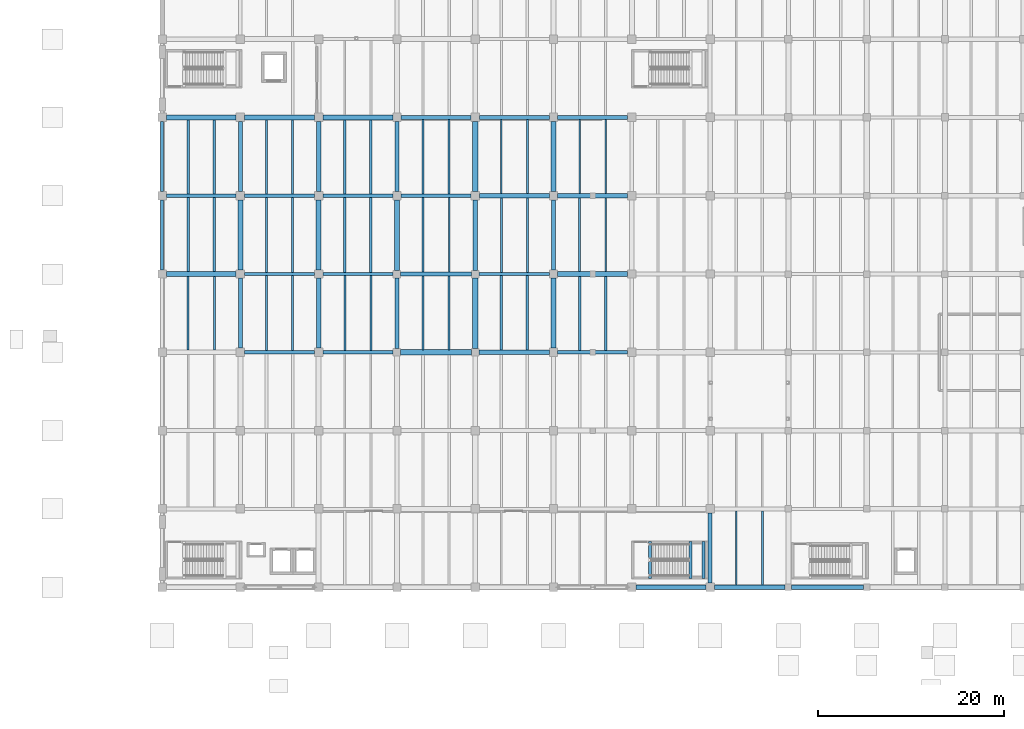
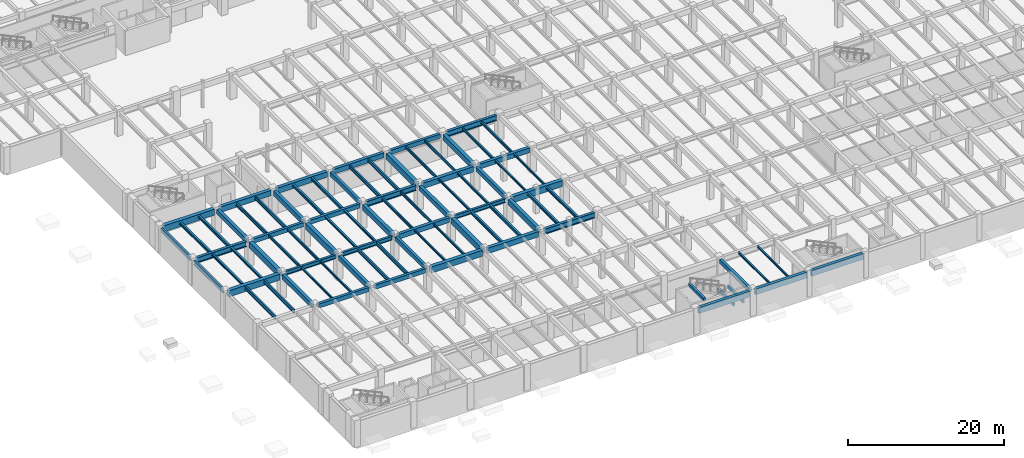
# One storey, part 15 of 63: 85 beams.
"""IFC4 building model written with IfcOpenShell, lengths in metres."""

from ifc_helpers import new_model, si_unit, direction, frame, origin, origin_2d, place, context, subcontext, project, spatial, rectangle, i_section, extrude, material, material_profile, profile_set, type_object, element, save


model = new_model("IFC4")

# Units and contexts
model_context = context("Model", 3, precision=1e-05, world=origin(), true_north=direction((0.0, 1.0)))
body_context = subcontext(model_context, "Body", "Model", "MODEL_VIEW")
ifc_project = project(units=[si_unit("LENGTHUNIT", "METRE"), si_unit("AREAUNIT", "SQUARE_METRE"), si_unit("VOLUMEUNIT", "CUBIC_METRE"), si_unit("PLANEANGLEUNIT", "RADIAN"), si_unit("MASSUNIT", "GRAM", prefix="KILO")], contexts=[model_context])

# Site, building, storey
site_placement = place(None, origin())
site = spatial("IfcSite", under=ifc_project, at=site_placement, CompositionType="ELEMENT")
building_placement = place(site_placement, origin())
building = spatial("IfcBuilding", under=site, at=building_placement, Name="Cumbredor Promenade Congress Hotel", CompositionType="ELEMENT")
storey_placement = place(building_placement, frame((0.0, 0.0, -4.199951171875)))
storey = spatial("IfcBuildingStorey", under=building, at=storey_placement, Name="B01", CompositionType="ELEMENT", Elevation=-4.199951171875)

# Beams
ifc_material_1 = material(Name="Concrete C40/50", Category="concrete")
ifc_material_profile_1 = material_profile(ifc_material_1, rectangle(XDim=0.39990234375, YDim=0.64990234375, at=origin_2d()), Name="RC BEAM 400x650")
ifc_profile_set_1 = profile_set([ifc_material_profile_1], Name="Concrete C40/50")
beam_type_1 = type_object("IfcBeamType", Name="BM-RC-400x650", PredefinedType="BEAM", material=ifc_profile_set_1)
for number, where, z_axis, x_axis, name in (
    (1, (17.25, 33.60009765625, 3.52490234375), (1.0, 0.0, 0.0), (0.0, 1.0, 0.0), "L00 X-Grid Beam 039"),
    (2, (17.25, 50.39990234375, 3.52490234375), (1.0, 0.0, 0.0), (0.0, 1.0, 0.0), "L00 X-Grid Beam 043"),
):
    element("IfcBeam", number, at=place(storey_placement, frame(where, z_axis=z_axis, x_axis=x_axis)), inside=storey, type_object=beam_type_1, Name=name, PredefinedType="BEAM", context=body_context, shape_type="SweptSolid", body=[
        extrude(rectangle(XDim=0.39990234375, YDim=0.64990234375, at=origin_2d()), origin(), (0.0, 0.0, 1.0), 7.5),
    ])
beam_1_placement = place(storey_placement, frame((25.64990234375, 33.60009765625, 3.52490234375), z_axis=(1.0, 0.0, 0.0), x_axis=(0.0, 1.0, 0.0)))
element("IfcBeam", 3, at=beam_1_placement, inside=storey, type_object=beam_type_1, Name="L00 X-Grid Beam 063", PredefinedType="BEAM", context=body_context, shape_type="SweptSolid", body=[
    extrude(rectangle(XDim=0.39990234375, YDim=0.64990234375, at=origin_2d()), origin(), (0.0, 0.0, 1.0), 7.550048828125),
])
beam_2_placement = place(storey_placement, frame((25.64990234375, 50.39990234375, 3.52490234375), z_axis=(1.0, 0.0, 0.0), x_axis=(0.0, 1.0, 0.0)))
element("IfcBeam", 4, at=beam_2_placement, inside=storey, type_object=beam_type_1, Name="L00 X-Grid Beam 067", PredefinedType="BEAM", context=body_context, shape_type="SweptSolid", body=[
    extrude(rectangle(XDim=0.39990234375, YDim=0.64990234375, at=origin_2d()), origin(), (0.0, 0.0, 1.0), 7.5),
])
beam_3_placement = place(storey_placement, frame((33.60009765625, 34.0, 3.52490234375), z_axis=(0.0, 1.0, 0.0), x_axis=(-1.0, 0.0, 0.0)))
element("IfcBeam", 5, at=beam_3_placement, inside=storey, type_object=beam_type_1, Name="L00 Y-Grid Beam 083", PredefinedType="BEAM", context=body_context, shape_type="SweptSolid", body=[
    extrude(rectangle(XDim=0.39990234375, YDim=0.64990234375, at=origin_2d()), origin(), (0.0, 0.0, 1.0), 7.60009765625),
])
for number, where, z_axis, x_axis, name in (
    (6, (33.60009765625, 50.85009765625, 3.52490234375), (0.0, 1.0, 0.0), (-1.0, 0.0, 0.0), "L00 Y-Grid Beam 087"),
    (7, (42.449951171875, 58.800048828125, 3.52490234375), (1.0, 0.0, 0.0), (0.0, 1.0, 0.0), "L00 X-Grid Beam 111"),
    (8, (50.39990234375, 42.449951171875, 3.52490234375), (0.0, 1.0, 0.0), (-1.0, 0.0, 0.0), "L00 Y-Grid Beam 131"),
    (9, (67.199951171875, 8.85009765625, 3.52490234375), (0.0, 1.0, 0.0), (-1.0, 0.0, 0.0), "L00 Y-Grid Beam 175"),
):
    element("IfcBeam", number, at=place(storey_placement, frame(where, z_axis=z_axis, x_axis=x_axis)), inside=storey, type_object=beam_type_1, Name=name, PredefinedType="BEAM", context=body_context, shape_type="SweptSolid", body=[
        extrude(rectangle(XDim=0.39990234375, YDim=0.64990234375, at=origin_2d()), origin(), (0.0, 0.0, 1.0), 7.5),
    ])
ifc_material_profile_2 = material_profile(ifc_material_1, rectangle(XDim=0.449951171875, YDim=0.75, at=origin_2d()), Name="RC BEAM 450x750")
ifc_profile_set_2 = profile_set([ifc_material_profile_2], Name="Concrete C40/50")
beam_type_2 = type_object("IfcBeamType", Name="BM-RC-450x750", PredefinedType="BEAM", material=ifc_profile_set_2)
for number, where, z_axis, x_axis, name in (
    (10, (16.800048828125, 34.050048828125, 3.474853515625), (0.0, 1.0, 0.0), (-1.0, 0.0, 0.0), "L00 Y-Grid Beam 040"),
    (11, (16.800048828125, 50.85009765625, 3.474853515625), (0.0, 1.0, 0.0), (-1.0, 0.0, 0.0), "L00 Y-Grid Beam 044"),
    (12, (25.199951171875, 34.050048828125, 3.474853515625), (0.0, 1.0, 0.0), (-1.0, 0.0, 0.0), "L00 Y-Grid Beam 064"),
    (13, (25.199951171875, 50.85009765625, 3.474853515625), (0.0, 1.0, 0.0), (-1.0, 0.0, 0.0), "L00 Y-Grid Beam 068"),
):
    element("IfcBeam", number, at=place(storey_placement, frame(where, z_axis=z_axis, x_axis=x_axis)), inside=storey, type_object=beam_type_2, Name=name, PredefinedType="BEAM", context=body_context, shape_type="SweptSolid", body=[
        extrude(rectangle(XDim=0.449951171875, YDim=0.75, at=origin_2d()), origin(), (0.0, 0.0, 1.0), 7.5),
    ])
beam_4_placement = place(storey_placement, frame((34.0, 42.0, 3.474853515625), z_axis=(1.0, 0.0, 0.0), x_axis=(0.0, 1.0, 0.0)))
element("IfcBeam", 14, at=beam_4_placement, inside=storey, type_object=beam_type_2, Name="L00 X-Grid Beam 084", PredefinedType="BEAM", context=body_context, shape_type="SweptSolid", body=[
    extrude(rectangle(XDim=0.449951171875, YDim=0.75, at=origin_2d()), origin(), (0.0, 0.0, 1.0), 7.60009765625),
])
beam_5_placement = place(storey_placement, frame((34.050048828125, 58.800048828125, 3.474853515625), z_axis=(1.0, 0.0, 0.0), x_axis=(0.0, 1.0, 0.0)))
element("IfcBeam", 15, at=beam_5_placement, inside=storey, type_object=beam_type_2, Name="L00 X-Grid Beam 088", PredefinedType="BEAM", context=body_context, shape_type="SweptSolid", body=[
    extrude(rectangle(XDim=0.449951171875, YDim=0.75, at=origin_2d()), origin(), (0.0, 0.0, 1.0), 7.5),
])
beam_6_placement = place(storey_placement, frame((42.0, 42.39990234375, 3.474853515625), z_axis=(0.0, 1.0, 0.0), x_axis=(-1.0, 0.0, 0.0)))
element("IfcBeam", 16, at=beam_6_placement, inside=storey, type_object=beam_type_2, Name="L00 Y-Grid Beam 108", PredefinedType="BEAM", context=body_context, shape_type="SweptSolid", body=[
    extrude(rectangle(XDim=0.449951171875, YDim=0.75, at=origin_2d()), origin(), (0.0, 0.0, 1.0), 7.550048828125),
])
beam_7_placement = place(storey_placement, frame((50.85009765625, 50.39990234375, 3.474853515625), z_axis=(1.0, 0.0, 0.0), x_axis=(0.0, 1.0, 0.0)))
element("IfcBeam", 17, at=beam_7_placement, inside=storey, type_object=beam_type_2, Name="L00 X-Grid Beam 132", PredefinedType="BEAM", context=body_context, shape_type="SweptSolid", body=[
    extrude(rectangle(XDim=0.449951171875, YDim=0.75, at=origin_2d()), origin(), (0.0, 0.0, 1.0), 7.5),
])
ifc_material_profile_3 = material_profile(ifc_material_1, rectangle(XDim=0.5, YDim=0.85009765625, at=origin_2d()), Name="RC BEAM 500x850")
ifc_profile_set_3 = profile_set([ifc_material_profile_3], Name="Concrete C40/50")
beam_type_3 = type_object("IfcBeamType", Name="BM-RC-500x850", PredefinedType="BEAM", material=ifc_profile_set_3)
for number, where, z_axis, x_axis, name in (
    (18, (17.25, 58.800048828125, 3.425048828125), (1.0, 0.0, 0.0), (0.0, 1.0, 0.0), "L00 X-Grid Beam 045"),
    (19, (25.64990234375, 58.800048828125, 3.425048828125), (1.0, 0.0, 0.0), (0.0, 1.0, 0.0), "L00 X-Grid Beam 069"),
):
    element("IfcBeam", number, at=place(storey_placement, frame(where, z_axis=z_axis, x_axis=x_axis)), inside=storey, type_object=beam_type_3, Name=name, PredefinedType="BEAM", context=body_context, shape_type="SweptSolid", body=[
        extrude(rectangle(XDim=0.5, YDim=0.85009765625, at=origin_2d()), origin(), (0.0, 0.0, 1.0), 7.5),
    ])
for number, where, z_axis, x_axis, name in (
    (20, (33.60009765625, 42.39990234375, 3.425048828125), (0.0, 1.0, 0.0), (-1.0, 0.0, 0.0), "L00 Y-Grid Beam 085"),
    (21, (42.39990234375, 33.60009765625, 3.425048828125), (1.0, 0.0, 0.0), (0.0, 1.0, 0.0), "L00 X-Grid Beam 105"),
):
    element("IfcBeam", number, at=place(storey_placement, frame(where, z_axis=z_axis, x_axis=x_axis)), inside=storey, type_object=beam_type_3, Name=name, PredefinedType="BEAM", context=body_context, shape_type="SweptSolid", body=[
        extrude(rectangle(XDim=0.5, YDim=0.85009765625, at=origin_2d()), origin(), (0.0, 0.0, 1.0), 7.550048828125),
    ])
for number, where, z_axis, x_axis, name in (
    (22, (42.449951171875, 50.39990234375, 3.425048828125), (1.0, 0.0, 0.0), (0.0, 1.0, 0.0), "L00 X-Grid Beam 109"),
    (23, (50.39990234375, 34.050048828125, 3.425048828125), (0.0, 1.0, 0.0), (-1.0, 0.0, 0.0), "L00 Y-Grid Beam 129"),
    (24, (50.39990234375, 50.85009765625, 3.425048828125), (0.0, 1.0, 0.0), (-1.0, 0.0, 0.0), "L00 Y-Grid Beam 133"),
):
    element("IfcBeam", number, at=place(storey_placement, frame(where, z_axis=z_axis, x_axis=x_axis)), inside=storey, type_object=beam_type_3, Name=name, PredefinedType="BEAM", context=body_context, shape_type="SweptSolid", body=[
        extrude(rectangle(XDim=0.5, YDim=0.85009765625, at=origin_2d()), origin(), (0.0, 0.0, 1.0), 7.5),
    ])
ifc_material_profile_4 = material_profile(ifc_material_1, rectangle(XDim=0.550048828125, YDim=0.949951171875, at=origin_2d()), Name="RC BEAM 550x950")
ifc_profile_set_4 = profile_set([ifc_material_profile_4], Name="Concrete C40/50")
beam_type_4 = type_object("IfcBeamType", Name="BM-RC-550x950", PredefinedType="BEAM", material=ifc_profile_set_4)
for number, where, z_axis, x_axis, name in (
    (25, (8.85009765625, 42.0, 3.375), (1.0, 0.0, 0.0), (0.0, 1.0, 0.0), "L00 X-Grid Beam 018"),
    (26, (8.85009765625, 58.800048828125, 3.375), (1.0, 0.0, 0.0), (0.0, 1.0, 0.0), "L00 X-Grid Beam 022"),
    (27, (16.800048828125, 42.449951171875, 3.375), (0.0, 1.0, 0.0), (-1.0, 0.0, 0.0), "L00 Y-Grid Beam 042"),
    (28, (25.199951171875, 42.449951171875, 3.375), (0.0, 1.0, 0.0), (-1.0, 0.0, 0.0), "L00 Y-Grid Beam 066"),
):
    element("IfcBeam", number, at=place(storey_placement, frame(where, z_axis=z_axis, x_axis=x_axis)), inside=storey, type_object=beam_type_4, Name=name, PredefinedType="BEAM", context=body_context, shape_type="SweptSolid", body=[
        extrude(rectangle(XDim=0.550048828125, YDim=0.949951171875, at=origin_2d()), origin(), (0.0, 0.0, 1.0), 7.5),
    ])
for number, where, z_axis, x_axis, name in (
    (29, (34.0, 33.60009765625, 3.375), (1.0, 0.0, 0.0), (0.0, 1.0, 0.0), "L00 X-Grid Beam 082"),
    (30, (42.0, 34.0, 3.375), (0.0, 1.0, 0.0), (-1.0, 0.0, 0.0), "L00 Y-Grid Beam 106"),
):
    element("IfcBeam", number, at=place(storey_placement, frame(where, z_axis=z_axis, x_axis=x_axis)), inside=storey, type_object=beam_type_4, Name=name, PredefinedType="BEAM", context=body_context, shape_type="SweptSolid", body=[
        extrude(rectangle(XDim=0.550048828125, YDim=0.949951171875, at=origin_2d()), origin(), (0.0, 0.0, 1.0), 7.60009765625),
    ])
for number, where, z_axis, x_axis, name in (
    (31, (42.0, 50.85009765625, 3.375), (0.0, 1.0, 0.0), (-1.0, 0.0, 0.0), "L00 Y-Grid Beam 110"),
    (32, (50.85009765625, 42.0, 3.375), (1.0, 0.0, 0.0), (0.0, 1.0, 0.0), "L00 X-Grid Beam 130"),
):
    element("IfcBeam", number, at=place(storey_placement, frame(where, z_axis=z_axis, x_axis=x_axis)), inside=storey, type_object=beam_type_4, Name=name, PredefinedType="BEAM", context=body_context, shape_type="SweptSolid", body=[
        extrude(rectangle(XDim=0.550048828125, YDim=0.949951171875, at=origin_2d()), origin(), (0.0, 0.0, 1.0), 7.5),
    ])
ifc_material_2 = material(Name="Steel ASTM A992 Grade 50", Category="steel")
ifc_material_profile_5 = material_profile(ifc_material_2, i_section(OverallWidth=0.323974609375, OverallDepth=0.611083984375, WebThickness=0.0126953125, FlangeThickness=0.01904296875, at=origin_2d()), Name="W24X104")
ifc_profile_set_5 = profile_set([ifc_material_profile_5], Name="Steel ASTM A992 Grade 50")
beam_type_5 = type_object("IfcBeamType", Name="BM-W24X104", PredefinedType="BEAM", material=ifc_profile_set_5)
beam_8_placement = place(storey_placement, frame((17.25, 42.0, 3.54443359375), z_axis=(1.0, 0.0, 0.0), x_axis=(0.0, 1.0, 0.0)))
element("IfcBeam", 33, at=beam_8_placement, inside=storey, type_object=beam_type_5, Name="L00 X-Grid Beam 041", PredefinedType="BEAM", context=body_context, shape_type="SweptSolid", body=[
    extrude(i_section(OverallWidth=0.323974609375, OverallDepth=0.611083984375, WebThickness=0.0126953125, FlangeThickness=0.01904296875, at=origin_2d()), origin(), (0.0, 0.0, 1.0), 7.5),
])
for number, where, z_axis, x_axis, name in (
    (34, (25.64990234375, 42.0, 3.54443359375), (1.0, 0.0, 0.0), (0.0, 1.0, 0.0), "L00 X-Grid Beam 065"),
    (35, (42.39990234375, 42.0, 3.54443359375), (1.0, 0.0, 0.0), (0.0, 1.0, 0.0), "L00 X-Grid Beam 107"),
):
    element("IfcBeam", number, at=place(storey_placement, frame(where, z_axis=z_axis, x_axis=x_axis)), inside=storey, type_object=beam_type_5, Name=name, PredefinedType="BEAM", context=body_context, shape_type="SweptSolid", body=[
        extrude(i_section(OverallWidth=0.323974609375, OverallDepth=0.611083984375, WebThickness=0.0126953125, FlangeThickness=0.01904296875, at=origin_2d()), origin(), (0.0, 0.0, 1.0), 7.550048828125),
    ])
ifc_material_profile_6 = material_profile(ifc_material_2, i_section(OverallWidth=0.39990234375, OverallDepth=0.85498046875, WebThickness=0.018310546875, FlangeThickness=0.029296875, at=origin_2d()), Name="W33X201")
ifc_profile_set_6 = profile_set([ifc_material_profile_6], Name="Steel ASTM A992 Grade 50")
beam_type_6 = type_object("IfcBeamType", Name="BM-W33X201", PredefinedType="BEAM", material=ifc_profile_set_6)
for number, where, z_axis, x_axis, name in (
    (36, (8.85009765625, 50.39990234375, 3.42236328125), (1.0, 0.0, 0.0), (0.0, 1.0, 0.0), "L00 X-Grid Beam 020"),
    (37, (34.050048828125, 50.39990234375, 3.42236328125), (1.0, 0.0, 0.0), (0.0, 1.0, 0.0), "L00 X-Grid Beam 086"),
    (38, (50.85009765625, 33.60009765625, 3.42236328125), (1.0, 0.0, 0.0), (0.0, 1.0, 0.0), "L00 X-Grid Beam 128"),
    (39, (50.85009765625, 58.800048828125, 3.42236328125), (1.0, 0.0, 0.0), (0.0, 1.0, 0.0), "L00 X-Grid Beam 134"),
):
    element("IfcBeam", number, at=place(storey_placement, frame(where, z_axis=z_axis, x_axis=x_axis)), inside=storey, type_object=beam_type_6, Name=name, PredefinedType="BEAM", context=body_context, shape_type="SweptSolid", body=[
        extrude(i_section(OverallWidth=0.39990234375, OverallDepth=0.85498046875, WebThickness=0.018310546875, FlangeThickness=0.029296875, at=origin_2d()), origin(), (0.0, 0.0, 1.0), 7.5),
    ])
ifc_material_profile_7 = material_profile(ifc_material_2, i_section(OverallWidth=0.202880859375, OverallDepth=0.302978515625, WebThickness=0.007568359375, FlangeThickness=0.01318359375, at=origin_2d()), Name="W12X40")
ifc_profile_set_7 = profile_set([ifc_material_profile_7], Name="Steel ASTM A992 Grade 50")
beam_type_7 = type_object("IfcBeamType", Name="JST-W12X40", PredefinedType="JOIST", material=ifc_profile_set_7)
for number, where, z_axis, x_axis, name in (
    (40, (19.60009765625, 33.800048828125, 3.698486328125), (0.0, 1.0, 0.0), (-1.0, 0.0, 0.0), "L00 Secondary Floor Joist 0029"),
    (41, (22.39990234375, 33.800048828125, 3.698486328125), (0.0, 1.0, 0.0), (-1.0, 0.0, 0.0), "L00 Secondary Floor Joist 0030"),
):
    element("IfcBeam", number, at=place(storey_placement, frame(where, z_axis=z_axis, x_axis=x_axis)), inside=storey, type_object=beam_type_7, Name=name, PredefinedType="JOIST", context=body_context, shape_type="SweptSolid", body=[
        extrude(i_section(OverallWidth=0.202880859375, OverallDepth=0.302978515625, WebThickness=0.007568359375, FlangeThickness=0.01318359375, at=origin_2d()), origin(), (0.0, 0.0, 1.0), 8.037841796875),
    ])
for number, where, z_axis, x_axis, name in (
    (42, (36.39990234375, 33.875, 3.698486328125), (0.0, 1.0, 0.0), (-1.0, 0.0, 0.0), "L00 Secondary Floor Joist 0064"),
    (43, (39.199951171875, 33.875, 3.698486328125), (0.0, 1.0, 0.0), (-1.0, 0.0, 0.0), "L00 Secondary Floor Joist 0065"),
):
    element("IfcBeam", number, at=place(storey_placement, frame(where, z_axis=z_axis, x_axis=x_axis)), inside=storey, type_object=beam_type_7, Name=name, PredefinedType="JOIST", context=body_context, shape_type="SweptSolid", body=[
        extrude(i_section(OverallWidth=0.202880859375, OverallDepth=0.302978515625, WebThickness=0.007568359375, FlangeThickness=0.01318359375, at=origin_2d()), origin(), (0.0, 0.0, 1.0), 7.89990234375),
    ])
for number, where, z_axis, x_axis, name in (
    (44, (44.800048828125, 42.162109375, 3.698486328125), (0.0, 1.0, 0.0), (-1.0, 0.0, 0.0), "L00 Secondary Floor Joist 0084"),
    (45, (47.60009765625, 42.162109375, 3.698486328125), (0.0, 1.0, 0.0), (-1.0, 0.0, 0.0), "L00 Secondary Floor Joist 0085"),
):
    element("IfcBeam", number, at=place(storey_placement, frame(where, z_axis=z_axis, x_axis=x_axis)), inside=storey, type_object=beam_type_7, Name=name, PredefinedType="JOIST", context=body_context, shape_type="SweptSolid", body=[
        extrude(i_section(OverallWidth=0.202880859375, OverallDepth=0.302978515625, WebThickness=0.007568359375, FlangeThickness=0.01318359375, at=origin_2d()), origin(), (0.0, 0.0, 1.0), 7.98779296875),
    ])
for number, where, z_axis, x_axis, name in (
    (46, (53.199951171875, 42.27490234375, 3.698486328125), (0.0, 1.0, 0.0), (-1.0, 0.0, 0.0), "L00 Secondary Floor Joist 0104"),
    (47, (56.0, 42.27490234375, 3.698486328125), (0.0, 1.0, 0.0), (-1.0, 0.0, 0.0), "L00 Secondary Floor Joist 0105"),
):
    element("IfcBeam", number, at=place(storey_placement, frame(where, z_axis=z_axis, x_axis=x_axis)), inside=storey, type_object=beam_type_7, Name=name, PredefinedType="JOIST", context=body_context, shape_type="SweptSolid", body=[
        extrude(i_section(OverallWidth=0.202880859375, OverallDepth=0.302978515625, WebThickness=0.007568359375, FlangeThickness=0.01318359375, at=origin_2d()), origin(), (0.0, 0.0, 1.0), 7.900146484375),
    ])
for number, where, z_axis, x_axis, name in (
    (48, (70.0, 8.625, 3.698486328125), (0.0, 1.0, 0.0), (-1.0, 0.0, 0.0), "L00 Secondary Floor Joist 0144"),
    (49, (72.800048828125, 8.625, 3.698486328125), (0.0, 1.0, 0.0), (-1.0, 0.0, 0.0), "L00 Secondary Floor Joist 0145"),
):
    element("IfcBeam", number, at=place(storey_placement, frame(where, z_axis=z_axis, x_axis=x_axis)), inside=storey, type_object=beam_type_7, Name=name, PredefinedType="JOIST", context=body_context, shape_type="SweptSolid", body=[
        extrude(i_section(OverallWidth=0.202880859375, OverallDepth=0.302978515625, WebThickness=0.007568359375, FlangeThickness=0.01318359375, at=origin_2d()), origin(), (0.0, 0.0, 1.0), 7.97509765625),
    ])
ifc_material_profile_8 = material_profile(ifc_material_2, i_section(OverallWidth=0.2548828125, OverallDepth=0.35693359375, WebThickness=0.010498046875, FlangeThickness=0.018310546875, at=origin_2d()), Name="W14X68")
ifc_profile_set_8 = profile_set([ifc_material_profile_8], Name="Steel ASTM A992 Grade 50")
beam_type_8 = type_object("IfcBeamType", Name="JST-W14X68", PredefinedType="JOIST", material=ifc_profile_set_8)
for number, where, z_axis, x_axis, name in (
    (50, (11.199951171875, 42.27490234375, 3.67138671875), (0.0, 1.0, 0.0), (-1.0, 0.0, 0.0), "L00 Secondary Floor Joist 0015"),
    (51, (14.0, 42.27490234375, 3.67138671875), (0.0, 1.0, 0.0), (-1.0, 0.0, 0.0), "L00 Secondary Floor Joist 0016"),
):
    element("IfcBeam", number, at=place(storey_placement, frame(where, z_axis=z_axis, x_axis=x_axis)), inside=storey, type_object=beam_type_8, Name=name, PredefinedType="JOIST", context=body_context, shape_type="SweptSolid", body=[
        extrude(i_section(OverallWidth=0.2548828125, OverallDepth=0.35693359375, WebThickness=0.010498046875, FlangeThickness=0.018310546875, at=origin_2d()), origin(), (0.0, 0.0, 1.0), 7.925048828125),
    ])
for number, where, z_axis, x_axis, name in (
    (52, (28.0, 42.162109375, 3.67138671875), (0.0, 1.0, 0.0), (-1.0, 0.0, 0.0), "L00 Secondary Floor Joist 0050"),
    (53, (30.800048828125, 42.162109375, 3.67138671875), (0.0, 1.0, 0.0), (-1.0, 0.0, 0.0), "L00 Secondary Floor Joist 0051"),
):
    element("IfcBeam", number, at=place(storey_placement, frame(where, z_axis=z_axis, x_axis=x_axis)), inside=storey, type_object=beam_type_8, Name=name, PredefinedType="JOIST", context=body_context, shape_type="SweptSolid", body=[
        extrude(i_section(OverallWidth=0.2548828125, OverallDepth=0.35693359375, WebThickness=0.010498046875, FlangeThickness=0.018310546875, at=origin_2d()), origin(), (0.0, 0.0, 1.0), 8.037841796875),
    ])
ifc_material_profile_9 = material_profile(ifc_material_2, i_section(OverallWidth=0.180908203125, OverallDepth=0.4169921875, WebThickness=0.010986328125, FlangeThickness=0.018310546875, at=origin_2d()), Name="W16X57")
ifc_profile_set_9 = profile_set([ifc_material_profile_9], Name="Steel ASTM A992 Grade 50")
beam_type_9 = type_object("IfcBeamType", Name="JST-W16X57", PredefinedType="JOIST", material=ifc_profile_set_9)
for number, where, z_axis, x_axis, name in (
    (54, (19.60009765625, 42.162109375, 3.641357421875), (0.0, 1.0, 0.0), (-1.0, 0.0, 0.0), "L00 Secondary Floor Joist 0031"),
    (55, (22.39990234375, 42.162109375, 3.641357421875), (0.0, 1.0, 0.0), (-1.0, 0.0, 0.0), "L00 Secondary Floor Joist 0032"),
):
    element("IfcBeam", number, at=place(storey_placement, frame(where, z_axis=z_axis, x_axis=x_axis)), inside=storey, type_object=beam_type_9, Name=name, PredefinedType="JOIST", context=body_context, shape_type="SweptSolid", body=[
        extrude(i_section(OverallWidth=0.180908203125, OverallDepth=0.4169921875, WebThickness=0.010986328125, FlangeThickness=0.018310546875, at=origin_2d()), origin(), (0.0, 0.0, 1.0), 8.037841796875),
    ])
for number, where, z_axis, x_axis, name in (
    (56, (36.39990234375, 42.22509765625, 3.641357421875), (0.0, 1.0, 0.0), (-1.0, 0.0, 0.0), "L00 Secondary Floor Joist 0066"),
    (57, (39.199951171875, 42.22509765625, 3.641357421875), (0.0, 1.0, 0.0), (-1.0, 0.0, 0.0), "L00 Secondary Floor Joist 0067"),
):
    element("IfcBeam", number, at=place(storey_placement, frame(where, z_axis=z_axis, x_axis=x_axis)), inside=storey, type_object=beam_type_9, Name=name, PredefinedType="JOIST", context=body_context, shape_type="SweptSolid", body=[
        extrude(i_section(OverallWidth=0.180908203125, OverallDepth=0.4169921875, WebThickness=0.010986328125, FlangeThickness=0.018310546875, at=origin_2d()), origin(), (0.0, 0.0, 1.0), 7.974853515625),
    ])
for number, where, z_axis, x_axis, name in (
    (58, (44.800048828125, 50.64990234375, 3.641357421875), (0.0, 1.0, 0.0), (-1.0, 0.0, 0.0), "L00 Secondary Floor Joist 0086"),
    (59, (47.60009765625, 50.64990234375, 3.641357421875), (0.0, 1.0, 0.0), (-1.0, 0.0, 0.0), "L00 Secondary Floor Joist 0087"),
):
    element("IfcBeam", number, at=place(storey_placement, frame(where, z_axis=z_axis, x_axis=x_axis)), inside=storey, type_object=beam_type_9, Name=name, PredefinedType="JOIST", context=body_context, shape_type="SweptSolid", body=[
        extrude(i_section(OverallWidth=0.180908203125, OverallDepth=0.4169921875, WebThickness=0.010986328125, FlangeThickness=0.018310546875, at=origin_2d()), origin(), (0.0, 0.0, 1.0), 7.9501953125),
    ])
for number, where, z_axis, x_axis, name in (
    (60, (53.199951171875, 50.625, 3.641357421875), (0.0, 1.0, 0.0), (-1.0, 0.0, 0.0), "L00 Secondary Floor Joist 0106"),
    (61, (56.0, 50.625, 3.641357421875), (0.0, 1.0, 0.0), (-1.0, 0.0, 0.0), "L00 Secondary Floor Joist 0107"),
):
    element("IfcBeam", number, at=place(storey_placement, frame(where, z_axis=z_axis, x_axis=x_axis)), inside=storey, type_object=beam_type_9, Name=name, PredefinedType="JOIST", context=body_context, shape_type="SweptSolid", body=[
        extrude(i_section(OverallWidth=0.180908203125, OverallDepth=0.4169921875, WebThickness=0.010986328125, FlangeThickness=0.018310546875, at=origin_2d()), origin(), (0.0, 0.0, 1.0), 7.97509765625),
    ])
ifc_material_profile_10 = material_profile(ifc_material_2, i_section(OverallWidth=0.280029296875, OverallDepth=0.462890625, WebThickness=0.0107421875, FlangeThickness=0.017333984375, at=origin_2d()), Name="W18X76")
ifc_profile_set_10 = profile_set([ifc_material_profile_10], Name="Steel ASTM A992 Grade 50")
beam_type_10 = type_object("IfcBeamType", Name="JST-W18X76", PredefinedType="JOIST", material=ifc_profile_set_10)
for number, where, z_axis, x_axis, name in (
    (62, (11.199951171875, 50.60009765625, 3.618408203125), (0.0, 1.0, 0.0), (-1.0, 0.0, 0.0), "L00 Secondary Floor Joist 0017"),
    (63, (14.0, 50.60009765625, 3.618408203125), (0.0, 1.0, 0.0), (-1.0, 0.0, 0.0), "L00 Secondary Floor Joist 0018"),
):
    element("IfcBeam", number, at=place(storey_placement, frame(where, z_axis=z_axis, x_axis=x_axis)), inside=storey, type_object=beam_type_10, Name=name, PredefinedType="JOIST", context=body_context, shape_type="SweptSolid", body=[
        extrude(i_section(OverallWidth=0.280029296875, OverallDepth=0.462890625, WebThickness=0.0107421875, FlangeThickness=0.017333984375, at=origin_2d()), origin(), (0.0, 0.0, 1.0), 7.9248046875),
    ])
for number, where, z_axis, x_axis, name in (
    (64, (28.0, 50.60009765625, 3.618408203125), (0.0, 1.0, 0.0), (-1.0, 0.0, 0.0), "L00 Secondary Floor Joist 0052"),
    (65, (30.800048828125, 50.60009765625, 3.618408203125), (0.0, 1.0, 0.0), (-1.0, 0.0, 0.0), "L00 Secondary Floor Joist 0053"),
):
    element("IfcBeam", number, at=place(storey_placement, frame(where, z_axis=z_axis, x_axis=x_axis)), inside=storey, type_object=beam_type_10, Name=name, PredefinedType="JOIST", context=body_context, shape_type="SweptSolid", body=[
        extrude(i_section(OverallWidth=0.280029296875, OverallDepth=0.462890625, WebThickness=0.0107421875, FlangeThickness=0.017333984375, at=origin_2d()), origin(), (0.0, 0.0, 1.0), 7.949951171875),
    ])
for number, where, z_axis, x_axis, name in (
    (66, (44.800048828125, 33.85009765625, 3.618408203125), (0.0, 1.0, 0.0), (-1.0, 0.0, 0.0), "L00 Secondary Floor Joist 0082"),
    (67, (47.60009765625, 33.85009765625, 3.618408203125), (0.0, 1.0, 0.0), (-1.0, 0.0, 0.0), "L00 Secondary Floor Joist 0083"),
):
    element("IfcBeam", number, at=place(storey_placement, frame(where, z_axis=z_axis, x_axis=x_axis)), inside=storey, type_object=beam_type_10, Name=name, PredefinedType="JOIST", context=body_context, shape_type="SweptSolid", body=[
        extrude(i_section(OverallWidth=0.280029296875, OverallDepth=0.462890625, WebThickness=0.0107421875, FlangeThickness=0.017333984375, at=origin_2d()), origin(), (0.0, 0.0, 1.0), 7.98779296875),
    ])
for number, where, z_axis, x_axis, name in (
    (68, (53.199951171875, 33.800048828125, 3.618408203125), (0.0, 1.0, 0.0), (-1.0, 0.0, 0.0), "L00 Secondary Floor Joist 0102"),
    (69, (56.0, 33.800048828125, 3.618408203125), (0.0, 1.0, 0.0), (-1.0, 0.0, 0.0), "L00 Secondary Floor Joist 0103"),
):
    element("IfcBeam", number, at=place(storey_placement, frame(where, z_axis=z_axis, x_axis=x_axis)), inside=storey, type_object=beam_type_10, Name=name, PredefinedType="JOIST", context=body_context, shape_type="SweptSolid", body=[
        extrude(i_section(OverallWidth=0.280029296875, OverallDepth=0.462890625, WebThickness=0.0107421875, FlangeThickness=0.017333984375, at=origin_2d()), origin(), (0.0, 0.0, 1.0), 7.925048828125),
    ])
ifc_material_profile_11 = material_profile(ifc_material_2, i_section(OverallWidth=0.214111328125, OverallDepth=0.549072265625, WebThickness=0.0146484375, FlangeThickness=0.023681640625, at=origin_2d()), Name="W21X93")
ifc_profile_set_11 = profile_set([ifc_material_profile_11], Name="Steel ASTM A992 Grade 50")
beam_type_11 = type_object("IfcBeamType", Name="JST-W21X93", PredefinedType="JOIST", material=ifc_profile_set_11)
for number, where, z_axis, x_axis, name in (
    (70, (11.199951171875, 33.824951171875, 3.575439453125), (0.0, 1.0, 0.0), (-1.0, 0.0, 0.0), "L00 Secondary Floor Joist 0013"),
    (71, (14.0, 33.824951171875, 3.575439453125), (0.0, 1.0, 0.0), (-1.0, 0.0, 0.0), "L00 Secondary Floor Joist 0014"),
):
    element("IfcBeam", number, at=place(storey_placement, frame(where, z_axis=z_axis, x_axis=x_axis)), inside=storey, type_object=beam_type_11, Name=name, PredefinedType="JOIST", context=body_context, shape_type="SweptSolid", body=[
        extrude(i_section(OverallWidth=0.214111328125, OverallDepth=0.549072265625, WebThickness=0.0146484375, FlangeThickness=0.023681640625, at=origin_2d()), origin(), (0.0, 0.0, 1.0), 7.900146484375),
    ])
for number, where, z_axis, x_axis, name in (
    (72, (19.60009765625, 50.60009765625, 3.575439453125), (0.0, 1.0, 0.0), (-1.0, 0.0, 0.0), "L00 Secondary Floor Joist 0033"),
    (73, (22.39990234375, 50.60009765625, 3.575439453125), (0.0, 1.0, 0.0), (-1.0, 0.0, 0.0), "L00 Secondary Floor Joist 0034"),
):
    element("IfcBeam", number, at=place(storey_placement, frame(where, z_axis=z_axis, x_axis=x_axis)), inside=storey, type_object=beam_type_11, Name=name, PredefinedType="JOIST", context=body_context, shape_type="SweptSolid", body=[
        extrude(i_section(OverallWidth=0.214111328125, OverallDepth=0.549072265625, WebThickness=0.0146484375, FlangeThickness=0.023681640625, at=origin_2d()), origin(), (0.0, 0.0, 1.0), 7.949951171875),
    ])
for number, where, z_axis, x_axis, name in (
    (74, (28.0, 33.800048828125, 3.575439453125), (0.0, 1.0, 0.0), (-1.0, 0.0, 0.0), "L00 Secondary Floor Joist 0048"),
    (75, (30.800048828125, 33.800048828125, 3.575439453125), (0.0, 1.0, 0.0), (-1.0, 0.0, 0.0), "L00 Secondary Floor Joist 0049"),
):
    element("IfcBeam", number, at=place(storey_placement, frame(where, z_axis=z_axis, x_axis=x_axis)), inside=storey, type_object=beam_type_11, Name=name, PredefinedType="JOIST", context=body_context, shape_type="SweptSolid", body=[
        extrude(i_section(OverallWidth=0.214111328125, OverallDepth=0.549072265625, WebThickness=0.0146484375, FlangeThickness=0.023681640625, at=origin_2d()), origin(), (0.0, 0.0, 1.0), 8.037841796875),
    ])
for number, where, z_axis, x_axis, name in (
    (76, (36.39990234375, 50.60009765625, 3.575439453125), (0.0, 1.0, 0.0), (-1.0, 0.0, 0.0), "L00 Secondary Floor Joist 0068"),
    (77, (39.199951171875, 50.60009765625, 3.575439453125), (0.0, 1.0, 0.0), (-1.0, 0.0, 0.0), "L00 Secondary Floor Joist 0069"),
):
    element("IfcBeam", number, at=place(storey_placement, frame(where, z_axis=z_axis, x_axis=x_axis)), inside=storey, type_object=beam_type_11, Name=name, PredefinedType="JOIST", context=body_context, shape_type="SweptSolid", body=[
        extrude(i_section(OverallWidth=0.214111328125, OverallDepth=0.549072265625, WebThickness=0.0146484375, FlangeThickness=0.023681640625, at=origin_2d()), origin(), (0.0, 0.0, 1.0), 7.974853515625),
    ])
ifc_material_profile_12 = material_profile(ifc_material_1, rectangle(XDim=0.300048828125, YDim=0.5, at=origin_2d()), Name="RC LINTEL 300x500")
ifc_profile_set_12 = profile_set([ifc_material_profile_12], Name="Concrete C40/50")
beam_type_12 = type_object("IfcBeamType", Name="LN-RC-300x500", PredefinedType="LINTEL", material=ifc_profile_set_12)
for number, where, z_axis, x_axis, name in (
    (78, (66.5, 9.330078125, 1.64990234375), (0.0, 1.0, 0.0), (-1.0, 0.0, 0.0), "B01 Stair ST-05 Landing Ledger Beam E"),
    (79, (65.10009765625, 9.330078125, 1.64990234375), (0.0, 1.0, 0.0), (-1.0, 0.0, 0.0), "B01 Stair ST-05 Landing Ledger Beam W"),
    (80, (60.75, 9.330078125, 3.949951171875), (0.0, 1.0, 0.0), (-1.0, 0.0, 0.0), "L00 Stair ST-05 Well Header Trimmer Beam"),
):
    element("IfcBeam", number, at=place(storey_placement, frame(where, z_axis=z_axis, x_axis=x_axis)), inside=storey, type_object=beam_type_12, Name=name, PredefinedType="LINTEL", context=body_context, shape_type="SweptSolid", body=[
        extrude(rectangle(XDim=0.300048828125, YDim=0.5, at=origin_2d()), origin(), (0.0, 0.0, 1.0), 3.969970703125),
    ])
ifc_material_profile_13 = material_profile(ifc_material_1, rectangle(XDim=0.449951171875, YDim=0.89990234375, at=origin_2d()), Name="RC SPANDREL 450x900")
ifc_profile_set_13 = profile_set([ifc_material_profile_13], Name="Concrete C40/50")
beam_type_13 = type_object("IfcBeamType", Name="SP-RC-450x900", PredefinedType="SPANDREL", material=ifc_profile_set_13)
beam_9_placement = place(storey_placement, frame((59.25, 8.39990234375, 3.39990234375), z_axis=(1.0, 0.0, 0.0), x_axis=(0.0, 1.0, 0.0)))
element("IfcBeam", 81, at=beam_9_placement, inside=storey, type_object=beam_type_13, Name="L00 X-Grid Beam 149", PredefinedType="SPANDREL", context=body_context, shape_type="SweptSolid", body=[
    extrude(rectangle(XDim=0.449951171875, YDim=0.89990234375, at=origin_2d()), origin(), (0.0, 0.0, 1.0), 7.5),
])
beam_10_placement = place(storey_placement, frame((67.64990234375, 8.39990234375, 3.39990234375), z_axis=(1.0, 0.0, 0.0), x_axis=(0.0, 1.0, 0.0)))
element("IfcBeam", 82, at=beam_10_placement, inside=storey, type_object=beam_type_13, Name="L00 X-Grid Beam 174", PredefinedType="SPANDREL", context=body_context, shape_type="SweptSolid", body=[
    extrude(rectangle(XDim=0.449951171875, YDim=0.89990234375, at=origin_2d()), origin(), (0.0, 0.0, 1.0), 7.60009765625),
])
beam_11_placement = place(storey_placement, frame((75.949951171875, 8.39990234375, 3.39990234375), z_axis=(1.0, 0.0, 0.0), x_axis=(0.0, 1.0, 0.0)))
element("IfcBeam", 83, at=beam_11_placement, inside=storey, type_object=beam_type_13, Name="L00 X-Grid Beam 201", PredefinedType="SPANDREL", context=body_context, shape_type="SweptSolid", body=[
    extrude(rectangle(XDim=0.449951171875, YDim=0.89990234375, at=origin_2d()), origin(), (0.0, 0.0, 1.0), 7.699951171875),
])
ifc_material_profile_14 = material_profile(ifc_material_2, i_section(OverallWidth=0.323974609375, OverallDepth=0.611083984375, WebThickness=0.0126953125, FlangeThickness=0.01904296875, at=origin_2d()), Name="W24X104")
ifc_profile_set_14 = profile_set([ifc_material_profile_14], Name="Steel ASTM A992 Grade 50")
beam_type_14 = type_object("IfcBeamType", Name="SP-W24X104", PredefinedType="SPANDREL", material=ifc_profile_set_14)
for number, where, z_axis, x_axis, name in (
    (84, (8.39990234375, 42.449951171875, 3.54443359375), (0.0, 1.0, 0.0), (-1.0, 0.0, 0.0), "L00 Y-Grid Beam 019"),
    (85, (8.39990234375, 50.85009765625, 3.54443359375), (0.0, 1.0, 0.0), (-1.0, 0.0, 0.0), "L00 Y-Grid Beam 021"),
):
    element("IfcBeam", number, at=place(storey_placement, frame(where, z_axis=z_axis, x_axis=x_axis)), inside=storey, type_object=beam_type_14, Name=name, PredefinedType="SPANDREL", context=body_context, shape_type="SweptSolid", body=[
        extrude(i_section(OverallWidth=0.323974609375, OverallDepth=0.611083984375, WebThickness=0.0126953125, FlangeThickness=0.01904296875, at=origin_2d()), origin(), (0.0, 0.0, 1.0), 7.5),
    ])

save(model, "model.ifc")
